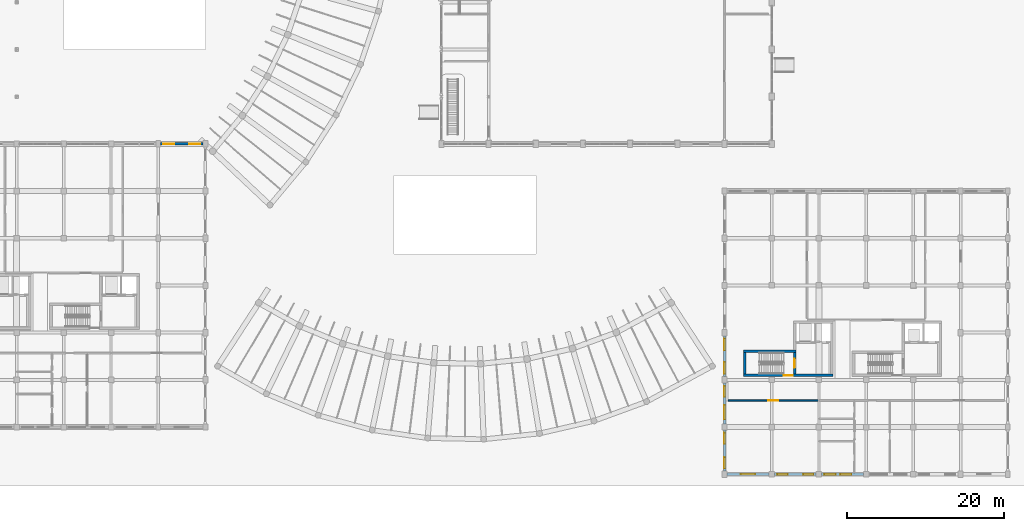
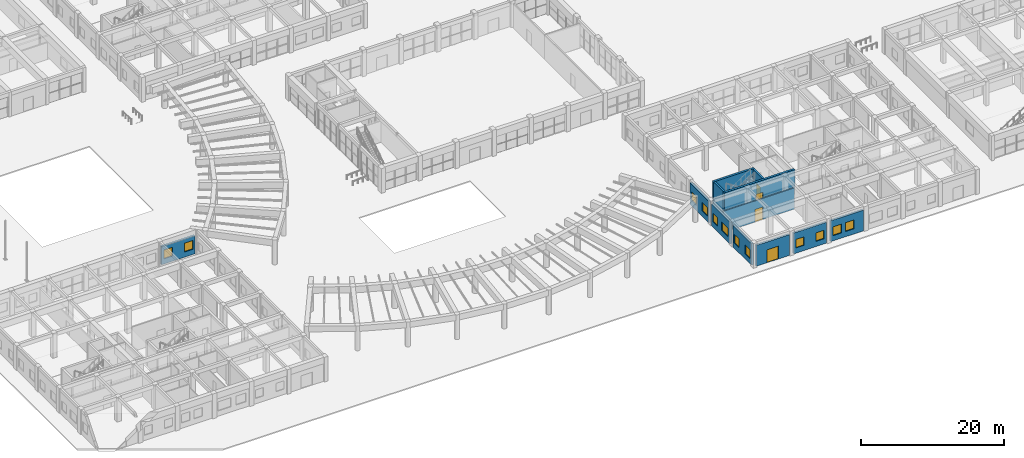
# One storey, part 50 of 76: 12 walls, 12 windows, 4 doors, 16 openings.
"""IFC4 building model written with IfcOpenShell, lengths in metres."""

from ifc_helpers import new_model, si_unit, direction, frame, frame_2d, origin, place, context, subcontext, project, spatial, rectangle, extrude, material, layer, layer_set, type_object, element, fill, save


model = new_model("IFC4")

# Units and contexts
model_context = context("Model", 3, precision=1e-05, world=origin(), true_north=direction((0.0, 1.0)))
body_context = subcontext(model_context, "Body", "Model", "MODEL_VIEW")
ifc_project = project(units=[si_unit("LENGTHUNIT", "METRE"), si_unit("AREAUNIT", "SQUARE_METRE"), si_unit("VOLUMEUNIT", "CUBIC_METRE"), si_unit("PLANEANGLEUNIT", "RADIAN"), si_unit("MASSUNIT", "GRAM", prefix="KILO"), si_unit("POWERUNIT", "WATT"), si_unit("THERMODYNAMICTEMPERATUREUNIT", "KELVIN")], contexts=[model_context])

# Site, building, storey
site_placement = place(None, origin())
site = spatial("IfcSite", under=ifc_project, at=site_placement, CompositionType="ELEMENT")
building_placement = place(site_placement, origin())
building = spatial("IfcBuilding", under=site, at=building_placement, Name="Ruvembo Vaulted Housing Court", CompositionType="ELEMENT")
storey_placement = place(building_placement, origin())
storey = spatial("IfcBuildingStorey", under=building, at=storey_placement, Name="L00", CompositionType="ELEMENT", Elevation=0.0)

# Wall, opening, door
ifc_material_1 = material(Name="Concrete C35/45", Category="concrete")
ifc_layer_1 = layer(ifc_material_1, 0.300048828125, Name="Concrete C35/45")
ifc_layer_set_1 = layer_set([ifc_layer_1], Name="Concrete C35/45")
wall_type_1 = type_object("IfcWallType", Name="WL-CORE-300", PredefinedType="SHEAR", material=ifc_layer_set_1)
wall_1_placement = place(storey_placement, frame((110.89990234375, 12.75, 0.0), z_axis=(0.0, 0.0, 1.0), x_axis=(0.0, 1.0, 0.0)))
wall_1 = element("IfcWall", 1, at=wall_1_placement, inside=storey, type_object=wall_type_1, Name="Core C1 L00 Stair-Lobby Shear Wall", PredefinedType="SHEAR", context=body_context, shape_type="SweptSolid", body=[
    extrude(rectangle(XDim=2.699951171875, YDim=0.300048828125, at=frame_2d((1.35009765625, 0.0))), origin(), (0.0, 0.0, 1.0), 4.22998046875),
])
opening_1_placement = place(wall_1_placement, frame((0.77490234375, 0.0, 0.0)))
opening_1 = element("IfcOpeningElement", 2, at=opening_1_placement, cuts=wall_1, Name="Opening SD1", PredefinedType="OPENING", context=body_context, shape_type="SweptSolid", body=[
    extrude(rectangle(XDim=1.14990234375, YDim=2.14990234375, at=frame_2d((0.574951171875, 1.074951171875))), frame((0.0, 0.159912109375, 0.0), z_axis=(0.0, -1.0, 0.0), x_axis=(1.0, 0.0, 0.0)), (0.0, 0.0, 1.0), 0.320068359375),
])
ifc_material_2 = material(Name="Galvanised Painted Steel", Category="steel")
door_type_1 = type_object("IfcDoorType", Name="DR-STAIR-1150x2150", OperationType="NOTDEFINED", PredefinedType="DOOR", material=ifc_material_2)
door_1_placement = place(opening_1_placement, origin())
door_1 = element("IfcDoor", 3, at=door_1_placement, inside=storey, type_object=door_type_1, Name="Stair ST-C1 L00 Fire Door", OperationType="SINGLE_SWING_LEFT", OverallHeight=2.14990234375, OverallWidth=1.14990234375, PredefinedType="DOOR", context=body_context, shape_type="SweptSolid", body=[
    extrude(rectangle(XDim=1.14990234375, YDim=2.14990234375, at=frame_2d((0.574951171875, 1.074951171875))), frame((0.0, 0.02490234375, 0.0), z_axis=(0.0, -1.0, 0.0), x_axis=(1.0, 0.0, 0.0)), (0.0, 0.0, 1.0), 0.050048828125),
])
fill(opening_1, door_1)

ifc_layer_2 = layer(ifc_material_1, 0.35009765625, Name="Concrete C35/45")
ifc_layer_set_2 = layer_set([ifc_layer_2], Name="Concrete C35/45")
wall_type_2 = type_object("IfcWallType", Name="WL-CORE-350", PredefinedType="SHEAR", material=ifc_layer_set_2)
wall_2_placement = place(storey_placement, frame((104.39990234375, 12.574951171875, 0.0), z_axis=(0.0, 0.0, 1.0), x_axis=(1.0, 0.0, 0.0)))
wall_2 = element("IfcWall", 4, at=wall_2_placement, inside=storey, type_object=wall_type_2, Name="Core C1 L00 South Shear Wall", PredefinedType="SHEAR", context=body_context, shape_type="SweptSolid", body=[
    extrude(rectangle(XDim=11.400146484375, YDim=0.35009765625, at=frame_2d((5.7001953125, 0.0))), origin(), (0.0, 0.0, 1.0), 4.22998046875),
])
opening_2_placement = place(wall_2_placement, frame((5.125, 0.0, 0.0)))
opening_2 = element("IfcOpeningElement", 5, at=opening_2_placement, cuts=wall_2, Name="Opening LD0", PredefinedType="OPENING", context=body_context, shape_type="SweptSolid", body=[
    extrude(rectangle(XDim=1.14990234375, YDim=2.14990234375, at=frame_2d((0.574951171875, 1.074951171875))), frame((0.0, 0.18505859375, 0.0), z_axis=(0.0, -1.0, 0.0), x_axis=(1.0, 0.0, 0.0)), (0.0, 0.0, 1.0), 0.3701171875),
])
door_type_2 = type_object("IfcDoorType", Name="DR-LOB-1150x2150", OperationType="NOTDEFINED", PredefinedType="DOOR", material=ifc_material_2)
door_2_placement = place(opening_2_placement, origin())
door_2 = element("IfcDoor", 6, at=door_2_placement, inside=storey, type_object=door_type_2, Name="Core C1 L00 Lobby Fire Door", OperationType="SINGLE_SWING_RIGHT", OverallHeight=2.14990234375, OverallWidth=1.14990234375, PredefinedType="DOOR", context=body_context, shape_type="SweptSolid", body=[
    extrude(rectangle(XDim=1.14990234375, YDim=2.14990234375, at=frame_2d((0.574951171875, 1.074951171875))), frame((0.0, 0.02490234375, 0.0), z_axis=(0.0, -1.0, 0.0), x_axis=(1.0, 0.0, 0.0)), (0.0, 0.0, 1.0), 0.050048828125),
])
fill(opening_2, door_2)

# Walls
wall_3_placement = place(storey_placement, frame((111.050048828125, 15.625, 0.0), z_axis=(0.0, 0.0, 1.0), x_axis=(-1.0, 0.0, 0.0)))
element("IfcWall", 7, at=wall_3_placement, inside=storey, type_object=wall_type_2, Name="Core C1 L00 Stair North Shear Wall", PredefinedType="SHEAR", context=body_context, shape_type="SweptSolid", body=[
    extrude(rectangle(XDim=6.650146484375, YDim=0.35009765625, at=frame_2d((3.3251953125, 0.0))), origin(), (0.0, 0.0, 1.0), 4.22998046875),
])
wall_4_placement = place(storey_placement, frame((104.574951171875, 15.449951171875, 0.0), z_axis=(0.0, 0.0, 1.0), x_axis=(0.0, -1.0, 0.0)))
element("IfcWall", 8, at=wall_4_placement, inside=storey, type_object=wall_type_2, Name="Core C1 L00 Stair West Shear Wall", PredefinedType="SHEAR", context=body_context, shape_type="SweptSolid", body=[
    extrude(rectangle(XDim=2.699951171875, YDim=0.35009765625, at=frame_2d((1.35009765625, 0.0))), origin(), (0.0, 0.0, 1.0), 4.22998046875),
])

# Wall, opening, door
ifc_material_3 = material(Name="Concrete Blockwork 200", Category="masonry")
ifc_layer_3 = layer(ifc_material_3, 0.199951171875, Name="Concrete Blockwork 200")
ifc_layer_set_3 = layer_set([ifc_layer_3], Name="Concrete Blockwork 200")
wall_type_3 = type_object("IfcWallType", Name="WL-CORR-200", PredefinedType="SOLIDWALL", material=ifc_layer_set_3)
wall_5_placement = place(storey_placement, frame((102.43994140625, 9.39990234375, 0.0), z_axis=(0.0, 0.0, 1.0), x_axis=(1.0, 0.0, 0.0)))
wall_5 = element("IfcWall", 9, at=wall_5_placement, inside=storey, type_object=wall_type_3, Name="L00 West Vestibule WL-INT-L00-00128", PredefinedType="SOLIDWALL", context=body_context, shape_type="SweptSolid", body=[
    extrude(rectangle(XDim=11.52001953125, YDim=0.199951171875, at=frame_2d((5.760009765625, 0.0))), origin(), (0.0, 0.0, 1.0), 3.612060546875),
])
opening_3_placement = place(wall_5_placement, frame((5.110107421875, 0.0, 0.0)))
opening_3 = element("IfcOpeningElement", 10, at=opening_3_placement, cuts=wall_5, Name="Opening CD2", PredefinedType="OPENING", context=body_context, shape_type="SweptSolid", body=[
    extrude(rectangle(XDim=1.300048828125, YDim=2.14990234375, at=frame_2d((0.64990234375, 1.074951171875))), frame((0.0, 0.10986328125, 0.0), z_axis=(0.0, -1.0, 0.0), x_axis=(1.0, 0.0, 0.0)), (0.0, 0.0, 1.0), 0.219970703125),
])
ifc_material_4 = material(Name="FSC Hardwood and Engineered Timber", Category="wood")
door_type_3 = type_object("IfcDoorType", Name="DR-CIVIC-1300x2150", OperationType="NOTDEFINED", PredefinedType="DOOR", material=ifc_material_4)
door_3_placement = place(opening_3_placement, origin())
door_3 = element("IfcDoor", 11, at=door_3_placement, inside=storey, type_object=door_type_3, Name="L00 West Vestibule Door DR-INT-L00-00059", OperationType="SINGLE_SWING_LEFT", OverallHeight=2.14990234375, OverallWidth=1.300048828125, PredefinedType="DOOR", context=body_context, shape_type="SweptSolid", body=[
    extrude(rectangle(XDim=1.300048828125, YDim=2.14990234375, at=frame_2d((0.64990234375, 1.074951171875))), frame((0.0, 0.02490234375, 0.0), z_axis=(0.0, -1.0, 0.0), x_axis=(1.0, 0.0, 0.0)), (0.0, 0.0, 1.0), 0.050048828125),
])
fill(opening_3, door_3)

# Wall, openings, windows
ifc_material_5 = material(Name="Rendered Masonry 320", Category="masonry")
ifc_layer_4 = layer(ifc_material_5, 0.320068359375, Name="Rendered Masonry 320")
ifc_layer_set_4 = layer_set([ifc_layer_4], Name="Rendered Masonry 320")
wall_type_4 = type_object("IfcWallType", Name="WL-EXT-320", PredefinedType="STANDARD", material=ifc_layer_set_4)
wall_6_placement = place(storey_placement, frame((35.699951171875, 42.0, 0.0), z_axis=(0.0, 0.0, 1.0), x_axis=(-1.0, 0.0, 0.0)))
wall_6 = element("IfcWall", 12, at=wall_6_placement, inside=storey, type_object=wall_type_4, Name="Block A L00 Exterior Wall COURTYARD #1", PredefinedType="STANDARD", context=body_context, shape_type="SweptSolid", body=[
    extrude(rectangle(XDim=5.39990234375, YDim=0.320068359375, at=frame_2d((2.699951171875, 0.0))), origin(), (0.0, 0.0, 1.0), 3.112060546875),
])
opening_4_placement = place(wall_6_placement, frame((0.35009765625, 0.0, 0.89990234375)))
opening_4 = element("IfcOpeningElement", 13, at=opening_4_placement, cuts=wall_6, Name="Opening W17", PredefinedType="OPENING", context=body_context, shape_type="SweptSolid", body=[
    extrude(rectangle(XDim=1.39990234375, YDim=1.5, at=frame_2d((0.699951171875, 0.75))), frame((0.0, 0.169921875, 0.0), z_axis=(0.0, -1.0, 0.0), x_axis=(1.0, 0.0, 0.0)), (0.0, 0.0, 1.0), 0.340087890625),
])
opening_5_placement = place(wall_6_placement, frame((3.64990234375, 0.0, 0.89990234375)))
opening_5 = element("IfcOpeningElement", 14, at=opening_5_placement, cuts=wall_6, Name="Opening W17", PredefinedType="OPENING", context=body_context, shape_type="SweptSolid", body=[
    extrude(rectangle(XDim=1.39990234375, YDim=1.5, at=frame_2d((0.699951171875, 0.75))), frame((0.0, 0.169921875, 0.0), z_axis=(0.0, -1.0, 0.0), x_axis=(1.0, 0.0, 0.0)), (0.0, 0.0, 1.0), 0.340087890625),
])
ifc_material_6 = material(Name="Double Solar-Control Glazing in Aluminium Frame", Category="aluminium")
window_type_1 = type_object("IfcWindowType", Name="WIN-1400x1500", PartitioningType="SINGLE_PANEL", PredefinedType="WINDOW", material=ifc_material_6)
window_1_placement = place(opening_4_placement, origin())
window_1 = element("IfcWindow", 15, at=window_1_placement, inside=storey, type_object=window_type_1, Name="Block A L00 Window #21", OverallHeight=1.5, OverallWidth=1.39990234375, PartitioningType="SINGLE_PANEL", PredefinedType="WINDOW", context=body_context, shape_type="SweptSolid", body=[
    extrude(rectangle(XDim=1.39990234375, YDim=1.5, at=frame_2d((0.699951171875, 0.75))), frame((0.0, 0.030029296875, 0.0), z_axis=(0.0, -1.0, 0.0), x_axis=(1.0, 0.0, 0.0)), (0.0, 0.0, 1.0), 0.06005859375),
])
fill(opening_4, window_1)
window_2_placement = place(opening_5_placement, origin())
window_2 = element("IfcWindow", 16, at=window_2_placement, inside=storey, type_object=window_type_1, Name="Block A L00 Window #22", OverallHeight=1.5, OverallWidth=1.39990234375, PartitioningType="SINGLE_PANEL", PredefinedType="WINDOW", context=body_context, shape_type="SweptSolid", body=[
    extrude(rectangle(XDim=1.39990234375, YDim=1.5, at=frame_2d((0.699951171875, 0.75))), frame((0.0, 0.030029296875, 0.0), z_axis=(0.0, -1.0, 0.0), x_axis=(1.0, 0.0, 0.0)), (0.0, 0.0, 1.0), 0.06005859375),
])
fill(opening_5, window_2)

# Wall, opening, door
wall_7_placement = place(storey_placement, frame((102.300048828125, 0.0, 0.0), z_axis=(0.0, 0.0, 1.0), x_axis=(1.0, 0.0, 0.0)))
wall_7 = element("IfcWall", 17, at=wall_7_placement, inside=storey, type_object=wall_type_4, Name="Block C L00 Exterior Wall STREET #1", PredefinedType="STANDARD", context=body_context, shape_type="SweptSolid", body=[
    extrude(rectangle(XDim=5.349853515625, YDim=0.320068359375, at=frame_2d((2.6748046875, 0.0))), origin(), (0.0, 0.0, 1.0), 3.56201171875),
])
opening_6_placement = place(wall_7_placement, frame((1.77490234375, 0.0, 0.0)))
opening_6 = element("IfcOpeningElement", 18, at=opening_6_placement, cuts=wall_7, Name="Opening EX1", PredefinedType="OPENING", context=body_context, shape_type="SweptSolid", body=[
    extrude(rectangle(XDim=1.800048828125, YDim=2.199951171875, at=frame_2d((0.89990234375, 1.10009765625))), frame((0.0, 0.169921875, 0.0), z_axis=(0.0, -1.0, 0.0), x_axis=(1.0, 0.0, 0.0)), (0.0, 0.0, 1.0), 0.340087890625),
])
ifc_material_7 = material(Name="Thermally Broken Glazed Aluminium", Category="aluminium")
door_type_4 = type_object("IfcDoorType", Name="DR-EXIT-1800x2200", OperationType="NOTDEFINED", PredefinedType="DOOR", material=ifc_material_7)
door_4_placement = place(opening_6_placement, frame((1.800048828125, 0.0, 0.0), z_axis=(0.0, 0.0, 1.0), x_axis=(-1.0, 0.0, 0.0)))
door_4 = element("IfcDoor", 19, at=door_4_placement, inside=storey, type_object=door_type_4, Name="Block C Final Exit Door DR-EXIT-C-048", OperationType="DOUBLE_DOOR_SINGLE_SWING", OverallHeight=2.199951171875, OverallWidth=1.800048828125, PredefinedType="DOOR", context=body_context, shape_type="SweptSolid", body=[
    extrude(rectangle(XDim=1.800048828125, YDim=2.199951171875, at=frame_2d((0.89990234375, 1.10009765625))), frame((0.0, 0.02490234375, 0.0), z_axis=(0.0, -1.0, 0.0), x_axis=(1.0, 0.0, 0.0)), (0.0, 0.0, 1.0), 0.050048828125),
])
fill(opening_6, door_4)

# Wall, openings, windows
wall_8_placement = place(storey_placement, frame((108.35009765625, 0.0, 0.0), z_axis=(0.0, 0.0, 1.0), x_axis=(1.0, 0.0, 0.0)))
wall_8 = element("IfcWall", 20, at=wall_8_placement, inside=storey, type_object=wall_type_4, Name="Block C L00 Exterior Wall STREET #2", PredefinedType="STANDARD", context=body_context, shape_type="SweptSolid", body=[
    extrude(rectangle(XDim=5.2998046875, YDim=0.320068359375, at=frame_2d((2.64990234375, 0.0))), origin(), (0.0, 0.0, 1.0), 3.56201171875),
])
opening_7_placement = place(wall_8_placement, frame((0.35009765625, 0.0, 0.89990234375)))
opening_7 = element("IfcOpeningElement", 21, at=opening_7_placement, cuts=wall_8, Name="Opening W15", PredefinedType="OPENING", context=body_context, shape_type="SweptSolid", body=[
    extrude(rectangle(XDim=1.300048828125, YDim=1.449951171875, at=frame_2d((0.64990234375, 0.72509765625))), frame((0.0, 0.169921875, 0.0), z_axis=(0.0, -1.0, 0.0), x_axis=(1.0, 0.0, 0.0)), (0.0, 0.0, 1.0), 0.340087890625),
])
opening_8_placement = place(wall_8_placement, frame((3.64990234375, 0.0, 0.89990234375)))
opening_8 = element("IfcOpeningElement", 22, at=opening_8_placement, cuts=wall_8, Name="Opening W15", PredefinedType="OPENING", context=body_context, shape_type="SweptSolid", body=[
    extrude(rectangle(XDim=1.300048828125, YDim=1.449951171875, at=frame_2d((0.64990234375, 0.72509765625))), frame((0.0, 0.169921875, 0.0), z_axis=(0.0, -1.0, 0.0), x_axis=(1.0, 0.0, 0.0)), (0.0, 0.0, 1.0), 0.340087890625),
])
window_type_2 = type_object("IfcWindowType", Name="WIN-1300x1450", PartitioningType="SINGLE_PANEL", PredefinedType="WINDOW", material=ifc_material_6)
window_3_placement = place(opening_7_placement, origin())
window_3 = element("IfcWindow", 23, at=window_3_placement, inside=storey, type_object=window_type_2, Name="Block C L00 Window #1069", OverallHeight=1.449951171875, OverallWidth=1.300048828125, PartitioningType="SINGLE_PANEL", PredefinedType="WINDOW", context=body_context, shape_type="SweptSolid", body=[
    extrude(rectangle(XDim=1.300048828125, YDim=1.449951171875, at=frame_2d((0.64990234375, 0.72509765625))), frame((0.0, 0.030029296875, 0.0), z_axis=(0.0, -1.0, 0.0), x_axis=(1.0, 0.0, 0.0)), (0.0, 0.0, 1.0), 0.06005859375),
])
fill(opening_7, window_3)
window_4_placement = place(opening_8_placement, origin())
window_4 = element("IfcWindow", 24, at=window_4_placement, inside=storey, type_object=window_type_2, Name="Block C L00 Window #1070", OverallHeight=1.449951171875, OverallWidth=1.300048828125, PartitioningType="SINGLE_PANEL", PredefinedType="WINDOW", context=body_context, shape_type="SweptSolid", body=[
    extrude(rectangle(XDim=1.300048828125, YDim=1.449951171875, at=frame_2d((0.64990234375, 0.72509765625))), frame((0.0, 0.030029296875, 0.0), z_axis=(0.0, -1.0, 0.0), x_axis=(1.0, 0.0, 0.0)), (0.0, 0.0, 1.0), 0.06005859375),
])
fill(opening_8, window_4)

wall_9_placement = place(storey_placement, frame((114.35009765625, 0.0, 0.0), z_axis=(0.0, 0.0, 1.0), x_axis=(1.0, 0.0, 0.0)))
wall_9 = element("IfcWall", 25, at=wall_9_placement, inside=storey, type_object=wall_type_4, Name="Block C L00 Exterior Wall STREET #3", PredefinedType="STANDARD", context=body_context, shape_type="SweptSolid", body=[
    extrude(rectangle(XDim=5.2998046875, YDim=0.320068359375, at=frame_2d((2.64990234375, 0.0))), origin(), (0.0, 0.0, 1.0), 3.56201171875),
])
opening_9_placement = place(wall_9_placement, frame((0.35009765625, 0.0, 0.89990234375)))
opening_9 = element("IfcOpeningElement", 26, at=opening_9_placement, cuts=wall_9, Name="Opening W17", PredefinedType="OPENING", context=body_context, shape_type="SweptSolid", body=[
    extrude(rectangle(XDim=1.39990234375, YDim=1.5, at=frame_2d((0.699951171875, 0.75))), frame((0.0, 0.169921875, 0.0), z_axis=(0.0, -1.0, 0.0), x_axis=(1.0, 0.0, 0.0)), (0.0, 0.0, 1.0), 0.340087890625),
])
opening_10_placement = place(wall_9_placement, frame((2.360107421875, 0.0, 0.89990234375)))
opening_10 = element("IfcOpeningElement", 27, at=opening_10_placement, cuts=wall_9, Name="Opening W17", PredefinedType="OPENING", context=body_context, shape_type="SweptSolid", body=[
    extrude(rectangle(XDim=1.39990234375, YDim=1.5, at=frame_2d((0.699951171875, 0.75))), frame((0.0, 0.169921875, 0.0), z_axis=(0.0, -1.0, 0.0), x_axis=(1.0, 0.0, 0.0)), (0.0, 0.0, 1.0), 0.340087890625),
])
window_5_placement = place(opening_9_placement, origin())
window_5 = element("IfcWindow", 28, at=window_5_placement, inside=storey, type_object=window_type_1, Name="Block C L00 Window #1071", OverallHeight=1.5, OverallWidth=1.39990234375, PartitioningType="SINGLE_PANEL", PredefinedType="WINDOW", context=body_context, shape_type="SweptSolid", body=[
    extrude(rectangle(XDim=1.39990234375, YDim=1.5, at=frame_2d((0.699951171875, 0.75))), frame((0.0, 0.030029296875, 0.0), z_axis=(0.0, -1.0, 0.0), x_axis=(1.0, 0.0, 0.0)), (0.0, 0.0, 1.0), 0.06005859375),
])
fill(opening_9, window_5)
window_6_placement = place(opening_10_placement, origin())
window_6 = element("IfcWindow", 29, at=window_6_placement, inside=storey, type_object=window_type_1, Name="Block C L00 Window #1072", OverallHeight=1.5, OverallWidth=1.39990234375, PartitioningType="SINGLE_PANEL", PredefinedType="WINDOW", context=body_context, shape_type="SweptSolid", body=[
    extrude(rectangle(XDim=1.39990234375, YDim=1.5, at=frame_2d((0.699951171875, 0.75))), frame((0.0, 0.030029296875, 0.0), z_axis=(0.0, -1.0, 0.0), x_axis=(1.0, 0.0, 0.0)), (0.0, 0.0, 1.0), 0.06005859375),
])
fill(opening_10, window_6)

wall_10_placement = place(storey_placement, frame((102.0, 17.60009765625, 0.0), z_axis=(0.0, 0.0, 1.0), x_axis=(0.0, -1.0, 0.0)))
wall_10 = element("IfcWall", 30, at=wall_10_placement, inside=storey, type_object=wall_type_4, Name="Block C L00 Exterior Wall WEST #4", PredefinedType="STANDARD", context=body_context, shape_type="SweptSolid", body=[
    extrude(rectangle(XDim=5.2001953125, YDim=0.320068359375, at=frame_2d((2.60009765625, 0.0))), origin(), (0.0, 0.0, 1.0), 3.7119140625),
])
opening_11_placement = place(wall_10_placement, frame((0.35009765625, 0.0, 0.89990234375)))
opening_11 = element("IfcOpeningElement", 31, at=opening_11_placement, cuts=wall_10, Name="Opening W19", PredefinedType="OPENING", context=body_context, shape_type="SweptSolid", body=[
    extrude(rectangle(XDim=1.5, YDim=1.5, at=frame_2d((0.75, 0.75))), frame((0.0, 0.169921875, 0.0), z_axis=(0.0, -1.0, 0.0), x_axis=(1.0, 0.0, 0.0)), (0.0, 0.0, 1.0), 0.340087890625),
])
opening_12_placement = place(wall_10_placement, frame((3.35009765625, 0.0, 0.89990234375)))
opening_12 = element("IfcOpeningElement", 32, at=opening_12_placement, cuts=wall_10, Name="Opening W19", PredefinedType="OPENING", context=body_context, shape_type="SweptSolid", body=[
    extrude(rectangle(XDim=1.5, YDim=1.5, at=frame_2d((0.75, 0.75))), frame((0.0, 0.169921875, 0.0), z_axis=(0.0, -1.0, 0.0), x_axis=(1.0, 0.0, 0.0)), (0.0, 0.0, 1.0), 0.340087890625),
])
window_type_3 = type_object("IfcWindowType", Name="WIN-1500x1500", PartitioningType="SINGLE_PANEL", PredefinedType="WINDOW", material=ifc_material_6)
window_7_placement = place(opening_11_placement, origin())
window_7 = element("IfcWindow", 33, at=window_7_placement, inside=storey, type_object=window_type_3, Name="Block C L00 Window #1103", OverallHeight=1.5, OverallWidth=1.5, PartitioningType="SINGLE_PANEL", PredefinedType="WINDOW", context=body_context, shape_type="SweptSolid", body=[
    extrude(rectangle(XDim=1.5, YDim=1.5, at=frame_2d((0.75, 0.75))), frame((0.0, 0.030029296875, 0.0), z_axis=(0.0, -1.0, 0.0), x_axis=(1.0, 0.0, 0.0)), (0.0, 0.0, 1.0), 0.06005859375),
])
fill(opening_11, window_7)
window_8_placement = place(opening_12_placement, origin())
window_8 = element("IfcWindow", 34, at=window_8_placement, inside=storey, type_object=window_type_3, Name="Block C L00 Window #1104", OverallHeight=1.5, OverallWidth=1.5, PartitioningType="SINGLE_PANEL", PredefinedType="WINDOW", context=body_context, shape_type="SweptSolid", body=[
    extrude(rectangle(XDim=1.5, YDim=1.5, at=frame_2d((0.75, 0.75))), frame((0.0, 0.030029296875, 0.0), z_axis=(0.0, -1.0, 0.0), x_axis=(1.0, 0.0, 0.0)), (0.0, 0.0, 1.0), 0.06005859375),
])
fill(opening_12, window_8)

wall_11_placement = place(storey_placement, frame((102.0, 11.60009765625, 0.0), z_axis=(0.0, 0.0, 1.0), x_axis=(0.0, -1.0, 0.0)))
wall_11 = element("IfcWall", 35, at=wall_11_placement, inside=storey, type_object=wall_type_4, Name="Block C L00 Exterior Wall WEST #5", PredefinedType="STANDARD", context=body_context, shape_type="SweptSolid", body=[
    extrude(rectangle(XDim=5.2001953125, YDim=0.320068359375, at=frame_2d((2.60009765625, 0.0))), origin(), (0.0, 0.0, 1.0), 3.7119140625),
])
opening_13_placement = place(wall_11_placement, frame((0.405029296875, 0.0, 0.89990234375)))
opening_13 = element("IfcOpeningElement", 36, at=opening_13_placement, cuts=wall_11, Name="Opening W16", PredefinedType="OPENING", context=body_context, shape_type="SweptSolid", body=[
    extrude(rectangle(XDim=1.35009765625, YDim=1.5, at=frame_2d((0.675048828125, 0.75))), frame((0.0, 0.169921875, 0.0), z_axis=(0.0, -1.0, 0.0), x_axis=(1.0, 0.0, 0.0)), (0.0, 0.0, 1.0), 0.340087890625),
])
opening_14_placement = place(wall_11_placement, frame((2.820068359375, 0.0, 0.89990234375)))
opening_14 = element("IfcOpeningElement", 37, at=opening_14_placement, cuts=wall_11, Name="Opening W22", PredefinedType="OPENING", context=body_context, shape_type="SweptSolid", body=[
    extrude(rectangle(XDim=1.800048828125, YDim=1.449951171875, at=frame_2d((0.89990234375, 0.72509765625))), frame((0.0, 0.169921875, 0.0), z_axis=(0.0, -1.0, 0.0), x_axis=(1.0, 0.0, 0.0)), (0.0, 0.0, 1.0), 0.340087890625),
])
window_type_4 = type_object("IfcWindowType", Name="WIN-1350x1500", PartitioningType="SINGLE_PANEL", PredefinedType="WINDOW", material=ifc_material_6)
window_9_placement = place(opening_13_placement, origin())
window_9 = element("IfcWindow", 38, at=window_9_placement, inside=storey, type_object=window_type_4, Name="Block C L00 Window #1105", OverallHeight=1.5, OverallWidth=1.35009765625, PartitioningType="SINGLE_PANEL", PredefinedType="WINDOW", context=body_context, shape_type="SweptSolid", body=[
    extrude(rectangle(XDim=1.35009765625, YDim=1.5, at=frame_2d((0.675048828125, 0.75))), frame((0.0, 0.030029296875, 0.0), z_axis=(0.0, -1.0, 0.0), x_axis=(1.0, 0.0, 0.0)), (0.0, 0.0, 1.0), 0.06005859375),
])
fill(opening_13, window_9)
window_type_5 = type_object("IfcWindowType", Name="WIN-1800x1450", PartitioningType="SINGLE_PANEL", PredefinedType="WINDOW", material=ifc_material_6)
window_10_placement = place(opening_14_placement, origin())
window_10 = element("IfcWindow", 39, at=window_10_placement, inside=storey, type_object=window_type_5, Name="Block C L00 Window #1106", OverallHeight=1.449951171875, OverallWidth=1.800048828125, PartitioningType="SINGLE_PANEL", PredefinedType="WINDOW", context=body_context, shape_type="SweptSolid", body=[
    extrude(rectangle(XDim=1.800048828125, YDim=1.449951171875, at=frame_2d((0.89990234375, 0.72509765625))), frame((0.0, 0.030029296875, 0.0), z_axis=(0.0, -1.0, 0.0), x_axis=(1.0, 0.0, 0.0)), (0.0, 0.0, 1.0), 0.06005859375),
])
fill(opening_14, window_10)

wall_12_placement = place(storey_placement, frame((102.0, 5.60009765625, 0.0), z_axis=(0.0, 0.0, 1.0), x_axis=(0.0, -1.0, 0.0)))
wall_12 = element("IfcWall", 40, at=wall_12_placement, inside=storey, type_object=wall_type_4, Name="Block C L00 Exterior Wall WEST #6", PredefinedType="STANDARD", context=body_context, shape_type="SweptSolid", body=[
    extrude(rectangle(XDim=5.2001953125, YDim=0.320068359375, at=frame_2d((2.60009765625, 0.0))), origin(), (0.0, 0.0, 1.0), 3.7119140625),
])
opening_15_placement = place(wall_12_placement, frame((0.35009765625, 0.0, 0.89990234375)))
opening_15 = element("IfcOpeningElement", 41, at=opening_15_placement, cuts=wall_12, Name="Opening W17", PredefinedType="OPENING", context=body_context, shape_type="SweptSolid", body=[
    extrude(rectangle(XDim=1.39990234375, YDim=1.5, at=frame_2d((0.699951171875, 0.75))), frame((0.0, 0.169921875, 0.0), z_axis=(0.0, -1.0, 0.0), x_axis=(1.0, 0.0, 0.0)), (0.0, 0.0, 1.0), 0.340087890625),
])
opening_16_placement = place(wall_12_placement, frame((3.449951171875, 0.0, 0.89990234375)))
opening_16 = element("IfcOpeningElement", 42, at=opening_16_placement, cuts=wall_12, Name="Opening W17", PredefinedType="OPENING", context=body_context, shape_type="SweptSolid", body=[
    extrude(rectangle(XDim=1.39990234375, YDim=1.5, at=frame_2d((0.699951171875, 0.75))), frame((0.0, 0.169921875, 0.0), z_axis=(0.0, -1.0, 0.0), x_axis=(1.0, 0.0, 0.0)), (0.0, 0.0, 1.0), 0.340087890625),
])
window_11_placement = place(opening_15_placement, origin())
window_11 = element("IfcWindow", 43, at=window_11_placement, inside=storey, type_object=window_type_1, Name="Block C L00 Window #1107", OverallHeight=1.5, OverallWidth=1.39990234375, PartitioningType="SINGLE_PANEL", PredefinedType="WINDOW", context=body_context, shape_type="SweptSolid", body=[
    extrude(rectangle(XDim=1.39990234375, YDim=1.5, at=frame_2d((0.699951171875, 0.75))), frame((0.0, 0.030029296875, 0.0), z_axis=(0.0, -1.0, 0.0), x_axis=(1.0, 0.0, 0.0)), (0.0, 0.0, 1.0), 0.06005859375),
])
fill(opening_15, window_11)
window_12_placement = place(opening_16_placement, origin())
window_12 = element("IfcWindow", 44, at=window_12_placement, inside=storey, type_object=window_type_1, Name="Block C L00 Window #1108", OverallHeight=1.5, OverallWidth=1.39990234375, PartitioningType="SINGLE_PANEL", PredefinedType="WINDOW", context=body_context, shape_type="SweptSolid", body=[
    extrude(rectangle(XDim=1.39990234375, YDim=1.5, at=frame_2d((0.699951171875, 0.75))), frame((0.0, 0.030029296875, 0.0), z_axis=(0.0, -1.0, 0.0), x_axis=(1.0, 0.0, 0.0)), (0.0, 0.0, 1.0), 0.06005859375),
])
fill(opening_16, window_12)

save(model, "model.ifc")
